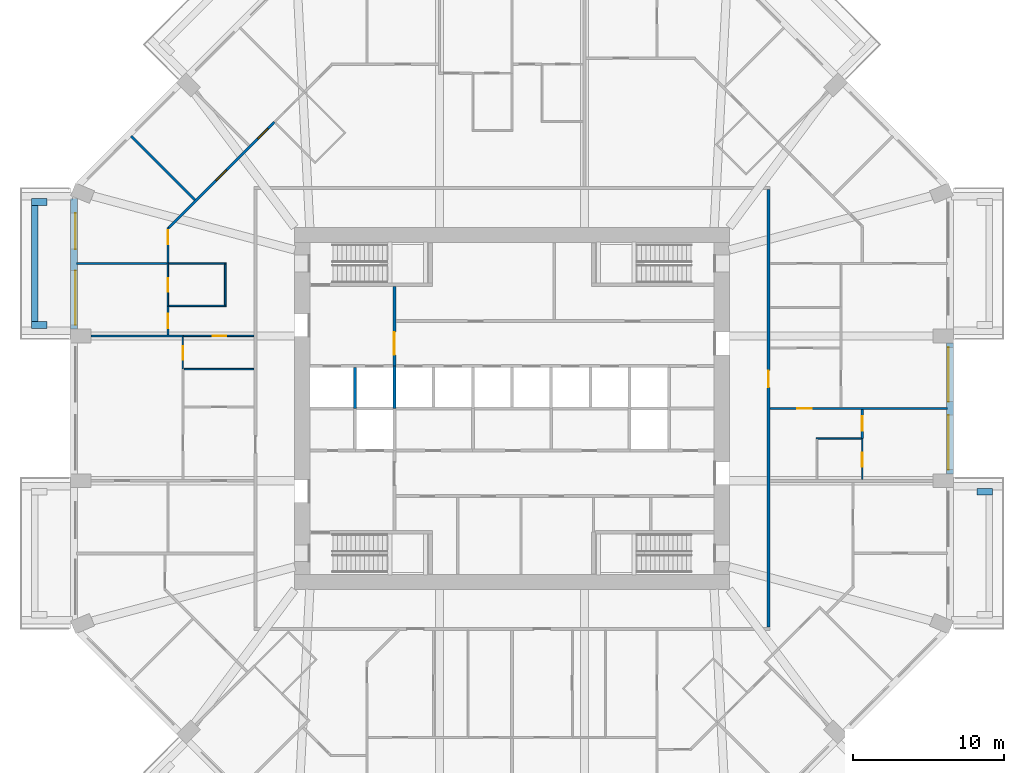
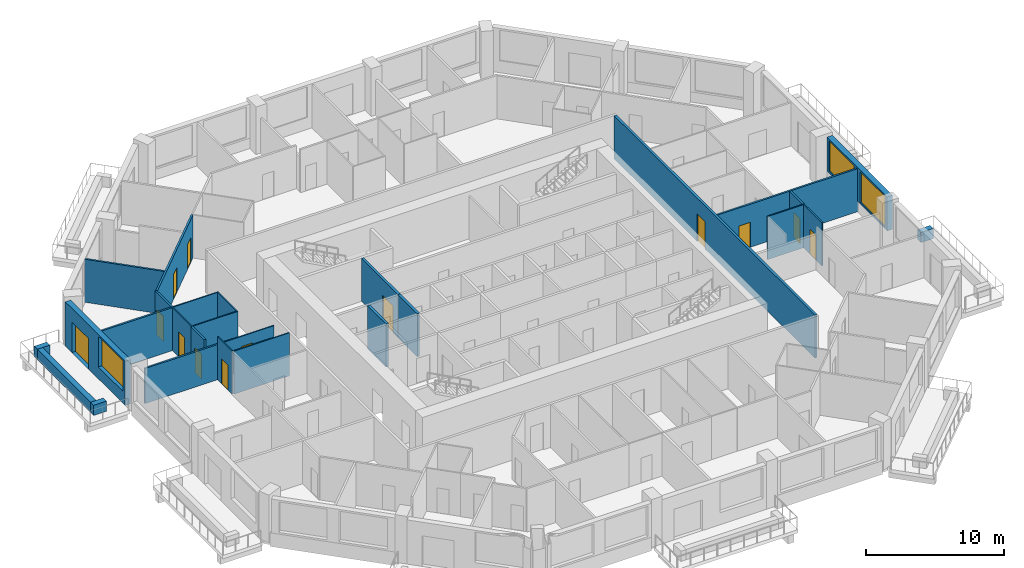
# One storey, part 7 of 13: 27 walls, 13 doors, 3 windows, 16 openings.
"""IFC4 building model written with IfcOpenShell, lengths in metres."""

from ifc_helpers import new_model, si_unit, direction, frame, frame_2d, origin, place, context, subcontext, project, spatial, rectangle, extrude, material, layer, layer_set, type_object, element, fill, save


model = new_model("IFC4")

# Units and contexts
model_context = context("Model", 3, precision=1e-05, world=origin(), true_north=direction((0.0, 1.0)))
body_context = subcontext(model_context, "Body", "Model", "MODEL_VIEW")
ifc_project = project(units=[si_unit("LENGTHUNIT", "METRE"), si_unit("AREAUNIT", "SQUARE_METRE"), si_unit("VOLUMEUNIT", "CUBIC_METRE"), si_unit("PLANEANGLEUNIT", "RADIAN"), si_unit("MASSUNIT", "GRAM", prefix="KILO")], contexts=[model_context])

# Site, building, storey
site_placement = place(None, origin())
site = spatial("IfcSite", under=ifc_project, at=site_placement, CompositionType="ELEMENT")
building_placement = place(site_placement, origin())
building = spatial("IfcBuilding", under=site, at=building_placement, Name="Msitu Wima Residences", CompositionType="ELEMENT")
storey_placement = place(building_placement, frame((0.0, 0.0, 96.89990234375)))
storey = spatial("IfcBuildingStorey", under=building, at=storey_placement, Name="L22", CompositionType="ELEMENT", Elevation=96.89990234375)

# Walls
ifc_material_1 = material(Name="Facing brick")
ifc_layer_1 = layer(ifc_material_1, 0.06494140625, Name="Facing brick")
ifc_material_2 = material(Name="Concrete C40/50", Category="concrete")
ifc_layer_2 = layer(ifc_material_2, 0.156005859375, Name="Concrete C40/50")
ifc_material_3 = material(Name="Waterproofing membrane")
ifc_layer_3 = layer(ifc_material_3, 0.00390625, Name="Waterproofing membrane")
ifc_material_4 = material(Name="Planting soil and planting")
ifc_layer_4 = layer(ifc_material_4, 0.22509765625, Name="Planting soil and planting")
ifc_layer_set_1 = layer_set([ifc_layer_1, ifc_layer_2, ifc_layer_3, ifc_layer_4], Name="Concrete C40/50")
wall_type_1 = type_object("IfcWallType", Name="Balcony planter PLANTER PL450", PredefinedType="USERDEFINED", material=ifc_layer_set_1)
wall_1_placement = place(storey_placement, frame((30.800048828125, -5.52490234375, 0.0), z_axis=(0.0, 0.0, 1.0), x_axis=(1.0, 0.0, 0.0)))
element("IfcWall", 1, at=wall_1_placement, inside=storey, type_object=wall_type_1, Name="Balcony planter E0 L22", ObjectType="PLANTER", PredefinedType="USERDEFINED", context=body_context, shape_type="SweptSolid", body=[
    extrude(rectangle(XDim=1.050048828125, YDim=0.449951171875, at=frame_2d((0.52490234375, 0.0))), origin(), (0.0, 0.0, 1.0), 0.900146484375),
])
wall_2_placement = place(storey_placement, frame((-31.625, 13.449951171875, 0.0), z_axis=(0.0, 0.0, 1.0), x_axis=(0.0, -1.0, 0.0)))
element("IfcWall", 2, at=wall_2_placement, inside=storey, type_object=wall_type_1, Name="Balcony planter W0 L22", ObjectType="PLANTER", PredefinedType="USERDEFINED", context=body_context, shape_type="SweptSolid", body=[
    extrude(rectangle(XDim=7.699951171875, YDim=0.449951171875, at=frame_2d((3.85009765625, 0.0))), origin(), (0.0, 0.0, 1.0), 0.900146484375),
])
for number, where, z_axis, x_axis, name in (
    (3, (-30.800048828125, 13.675048828125, 0.0), (0.0, 0.0, 1.0), (-1.0, 0.0, 0.0), "Balcony planter W0 L22"),
    (4, (-30.800048828125, 5.52490234375, 0.0), (0.0, 0.0, 1.0), (-1.0, 0.0, 0.0), "Balcony planter W0 L22"),
):
    element("IfcWall", number, at=place(storey_placement, frame(where, z_axis=z_axis, x_axis=x_axis)), inside=storey, type_object=wall_type_1, Name=name, ObjectType="PLANTER", PredefinedType="USERDEFINED", context=body_context, shape_type="SweptSolid", body=[
        extrude(rectangle(XDim=1.050048828125, YDim=0.449951171875, at=frame_2d((0.52490234375, 0.0))), origin(), (0.0, 0.0, 1.0), 0.900146484375),
    ])

# Wall, openings, windows
ifc_material_5 = material(Name="Brick (red buff mix)", Category="masonry")
ifc_layer_5 = layer(ifc_material_5, 0.449951171875)
ifc_layer_set_2 = layer_set([ifc_layer_5], Name="Brick (red buff mix)")
wall_type_2 = type_object("IfcWallType", Name="Brick infill wall BW450", PredefinedType="SOLIDWALL", material=ifc_layer_set_2)
wall_3_placement = place(storey_placement, frame((29.02490234375, -4.35009765625, 0.900146484375), z_axis=(0.0, 0.0, 1.0), x_axis=(0.0, 1.0, 0.0)))
wall_3 = element("IfcWall", 5, at=wall_3_placement, inside=storey, type_object=wall_type_2, Name="Brick infill wall L22 E1", PredefinedType="SOLIDWALL", context=body_context, shape_type="SweptSolid", body=[
    extrude(rectangle(XDim=8.7001953125, YDim=0.449951171875, at=frame_2d((4.35009765625, 0.0))), origin(), (0.0, 0.0, 1.0), 3.0),
])
opening_1_placement = place(wall_3_placement, frame((0.300048828125, 0.0, 0.14990234375)))
opening_1 = element("IfcOpeningElement", 6, at=opening_1_placement, cuts=wall_3, Name="Opening W22.002", PredefinedType="OPENING", context=body_context, shape_type="SweptSolid", body=[
    extrude(rectangle(XDim=3.60009765625, YDim=2.699951171875, at=frame_2d((1.800048828125, 1.35009765625))), frame((0.0, 0.23486328125, 0.0), z_axis=(0.0, -1.0, 0.0), x_axis=(1.0, 0.0, 0.0)), (0.0, 0.0, 1.0), 0.469970703125),
])
opening_2_placement = place(wall_3_placement, frame((4.800048828125, 0.0, 0.14990234375)))
opening_2 = element("IfcOpeningElement", 7, at=opening_2_placement, cuts=wall_3, Name="Opening W22.003", PredefinedType="OPENING", context=body_context, shape_type="SweptSolid", body=[
    extrude(rectangle(XDim=3.60009765625, YDim=2.699951171875, at=frame_2d((1.800048828125, 1.35009765625))), frame((0.0, 0.23486328125, 0.0), z_axis=(0.0, -1.0, 0.0), x_axis=(1.0, 0.0, 0.0)), (0.0, 0.0, 1.0), 0.469970703125),
])
ifc_material_6 = material(Name="Anodised aluminium, bronze finish, clear low-emissivity double glazing", Category="aluminium")
window_type = type_object("IfcWindowType", Name="Window W3600x2700", PartitioningType="DOUBLE_PANEL_VERTICAL", PredefinedType="WINDOW", material=ifc_material_6)
window_1_placement = place(opening_1_placement, origin())
window_1 = element("IfcWindow", 8, at=window_1_placement, inside=storey, type_object=window_type, Name="Window L22 E1.1", OverallHeight=2.699951171875, OverallWidth=3.60009765625, PartitioningType="SINGLE_PANEL", PredefinedType="WINDOW", context=body_context, shape_type="SweptSolid", body=[
    extrude(rectangle(XDim=3.60009765625, YDim=2.699951171875, at=frame_2d((1.800048828125, 1.35009765625))), frame((0.0, 0.135009765625, 0.0), z_axis=(0.0, -1.0, 0.0), x_axis=(1.0, 0.0, 0.0)), (0.0, 0.0, 1.0), 0.06005859375),
])
fill(opening_1, window_1)
window_2_placement = place(opening_2_placement, origin())
window_2 = element("IfcWindow", 9, at=window_2_placement, inside=storey, type_object=window_type, Name="Window L22 E1.2", OverallHeight=2.699951171875, OverallWidth=3.60009765625, PartitioningType="SINGLE_PANEL", PredefinedType="WINDOW", context=body_context, shape_type="SweptSolid", body=[
    extrude(rectangle(XDim=3.60009765625, YDim=2.699951171875, at=frame_2d((1.800048828125, 1.35009765625))), frame((0.0, 0.135009765625, 0.0), z_axis=(0.0, -1.0, 0.0), x_axis=(1.0, 0.0, 0.0)), (0.0, 0.0, 1.0), 0.06005859375),
])
fill(opening_2, window_2)

# Wall, openings, door, window
wall_4_placement = place(storey_placement, frame((-29.02490234375, 13.912841796875, 0.0), z_axis=(0.0, 0.0, 1.0), x_axis=(0.0, -1.0, 0.0)))
wall_4 = element("IfcWall", 10, at=wall_4_placement, inside=storey, type_object=wall_type_2, Name="Brick infill wall L22 W0", PredefinedType="SOLIDWALL", context=body_context, shape_type="SweptSolid", body=[
    extrude(rectangle(XDim=8.662841796875, YDim=0.449951171875, at=frame_2d((4.33154296875, 0.0))), origin(), (0.0, 0.0, 1.0), 3.900146484375),
])
opening_3_placement = place(wall_4_placement, frame((0.9658203125, 0.0, 0.0)))
opening_3 = element("IfcOpeningElement", 11, at=opening_3_placement, cuts=wall_4, Name="Opening D22.009", PredefinedType="OPENING", context=body_context, shape_type="SweptSolid", body=[
    extrude(rectangle(XDim=2.39990234375, YDim=2.699951171875, at=frame_2d((1.199951171875, 1.35009765625))), frame((0.0, 0.23486328125, 0.0), z_axis=(0.0, -1.0, 0.0), x_axis=(1.0, 0.0, 0.0)), (0.0, 0.0, 1.0), 0.469970703125),
])
opening_4_placement = place(wall_4_placement, frame((4.781494140625, 0.0, 1.050048828125)))
opening_4 = element("IfcOpeningElement", 12, at=opening_4_placement, cuts=wall_4, Name="Opening W22.027", PredefinedType="OPENING", context=body_context, shape_type="SweptSolid", body=[
    extrude(rectangle(XDim=3.60009765625, YDim=2.699951171875, at=frame_2d((1.800048828125, 1.35009765625))), frame((0.0, 0.23486328125, 0.0), z_axis=(0.0, -1.0, 0.0), x_axis=(1.0, 0.0, 0.0)), (0.0, 0.0, 1.0), 0.469970703125),
])
door_type_1 = type_object("IfcDoorType", Name="Balcony door D2400x2700", OperationType="SLIDING_TO_LEFT", PredefinedType="DOOR", material=ifc_material_6)
door_1_placement = place(opening_3_placement, origin())
door_1 = element("IfcDoor", 13, at=door_1_placement, inside=storey, type_object=door_type_1, Name="Balcony door L22 W0", OperationType="SINGLE_SWING_LEFT", OverallHeight=2.699951171875, OverallWidth=2.39990234375, PredefinedType="DOOR", context=body_context, shape_type="SweptSolid", body=[
    extrude(rectangle(XDim=2.39990234375, YDim=2.699951171875, at=frame_2d((1.199951171875, 1.35009765625))), frame((0.0, 0.1298828125, 0.0), z_axis=(0.0, -1.0, 0.0), x_axis=(1.0, 0.0, 0.0)), (0.0, 0.0, 1.0), 0.050048828125),
])
fill(opening_3, door_1)
window_3_placement = place(opening_4_placement, origin())
window_3 = element("IfcWindow", 14, at=window_3_placement, inside=storey, type_object=window_type, Name="Window L22 W0.2", OverallHeight=2.699951171875, OverallWidth=3.60009765625, PartitioningType="SINGLE_PANEL", PredefinedType="WINDOW", context=body_context, shape_type="SweptSolid", body=[
    extrude(rectangle(XDim=3.60009765625, YDim=2.699951171875, at=frame_2d((1.800048828125, 1.35009765625))), frame((0.0, 0.135009765625, 0.0), z_axis=(0.0, -1.0, 0.0), x_axis=(1.0, 0.0, 0.0)), (0.0, 0.0, 1.0), 0.06005859375),
])
fill(opening_4, window_3)

# Wall, opening, door
ifc_material_7 = material(Name="Plaster")
ifc_layer_6 = layer(ifc_material_7, 0.011962890625, Name="Plaster")
ifc_material_8 = material(Name="Concrete blockwork", Category="masonry")
ifc_layer_7 = layer(ifc_material_8, 0.176025390625, Name="Concrete blockwork")
ifc_layer_8 = layer(ifc_material_7, 0.011962890625, Name="Plaster")
ifc_layer_set_3 = layer_set([ifc_layer_6, ifc_layer_7, ifc_layer_8], Name="Concrete blockwork")
wall_type_3 = type_object("IfcWallType", Name="Corridor wall FW200", PredefinedType="PARTITIONING", material=ifc_layer_set_3)
wall_5_placement = place(storey_placement, frame((-7.800048828125, 2.800048828125, 0.0), z_axis=(0.0, 0.0, 1.0), x_axis=(0.0, 1.0, 0.0)))
wall_5 = element("IfcWall", 15, at=wall_5_placement, inside=storey, type_object=wall_type_3, Name="Corridor wall", PredefinedType="PARTITIONING", context=body_context, shape_type="SweptSolid", body=[
    extrude(rectangle(XDim=5.27490234375, YDim=0.199951171875, at=frame_2d((2.637451171875, 0.0))), origin(), (0.0, 0.0, 1.0), 3.798095703125),
])
opening_5_placement = place(wall_5_placement, frame((0.75, 0.0, 0.0)))
opening_5 = element("IfcOpeningElement", 16, at=opening_5_placement, cuts=wall_5, Name="Opening D22.017", PredefinedType="OPENING", context=body_context, shape_type="SweptSolid", body=[
    extrude(rectangle(XDim=1.5, YDim=2.39990234375, at=frame_2d((0.75, 1.199951171875))), frame((0.0, 0.10986328125, 0.0), z_axis=(0.0, -1.0, 0.0), x_axis=(1.0, 0.0, 0.0)), (0.0, 0.0, 1.0), 0.219970703125),
])
ifc_material_9 = material(Name="Steel framed glazed door, fire resisting", Category="steel")
door_type_2 = type_object("IfcDoorType", Name="Lobby door D07 1500x2400", OperationType="DOUBLE_DOOR_SINGLE_SWING", PredefinedType="DOOR", material=ifc_material_9)
door_2_placement = place(opening_5_placement, origin())
door_2 = element("IfcDoor", 17, at=door_2_placement, inside=storey, type_object=door_type_2, Name="Lobby door", OperationType="DOUBLE_DOOR_SINGLE_SWING", OverallHeight=2.39990234375, OverallWidth=1.5, PredefinedType="DOOR", context=body_context, shape_type="SweptSolid", body=[
    extrude(rectangle(XDim=1.5, YDim=2.39990234375, at=frame_2d((0.75, 1.199951171875))), frame((0.0, 0.02490234375, 0.0), z_axis=(0.0, -1.0, 0.0), x_axis=(1.0, 0.0, 0.0)), (0.0, 0.0, 1.0), 0.050048828125),
])
fill(opening_5, door_2)

wall_6_placement = place(storey_placement, frame((17.0, -14.5, 0.0), z_axis=(0.0, 0.0, 1.0), x_axis=(0.0, 1.0, 0.0)))
wall_6 = element("IfcWall", 18, at=wall_6_placement, inside=storey, type_object=wall_type_3, Name="Corridor wall", PredefinedType="PARTITIONING", context=body_context, shape_type="SweptSolid", body=[
    extrude(rectangle(XDim=29.0, YDim=0.199951171875, at=frame_2d((14.5, 0.0))), origin(), (0.0, 0.0, 1.0), 3.798095703125),
])
opening_6_placement = place(wall_6_placement, frame((15.89990234375, 0.0, 0.0)))
opening_6 = element("IfcOpeningElement", 19, at=opening_6_placement, cuts=wall_6, Name="Opening D22.011", PredefinedType="OPENING", context=body_context, shape_type="SweptSolid", body=[
    extrude(rectangle(XDim=1.10009765625, YDim=2.39990234375, at=frame_2d((0.550048828125, 1.199951171875))), frame((0.0, 0.10986328125, 0.0), z_axis=(0.0, -1.0, 0.0), x_axis=(1.0, 0.0, 0.0)), (0.0, 0.0, 1.0), 0.219970703125),
])
ifc_material_10 = material(Name="Timber flush door, fire resisting, self-closing", Category="wood")
door_type_3 = type_object("IfcDoorType", Name="Flat entrance door D01 1100x2400", OperationType="SINGLE_SWING_LEFT", PredefinedType="DOOR", material=ifc_material_10)
door_3_placement = place(opening_6_placement, origin())
door_3 = element("IfcDoor", 20, at=door_3_placement, inside=storey, type_object=door_type_3, Name="Flat entrance door", OperationType="SINGLE_SWING_RIGHT", OverallHeight=2.39990234375, OverallWidth=1.10009765625, PredefinedType="DOOR", context=body_context, shape_type="SweptSolid", body=[
    extrude(rectangle(XDim=1.10009765625, YDim=2.39990234375, at=frame_2d((0.550048828125, 1.199951171875))), frame((0.0, 0.02490234375, 0.0), z_axis=(0.0, -1.0, 0.0), x_axis=(1.0, 0.0, 0.0)), (0.0, 0.0, 1.0), 0.050048828125),
])
fill(opening_6, door_3)

# Walls
ifc_layer_9 = layer(ifc_material_7, 0.011962890625, Name="Plaster")
ifc_layer_10 = layer(ifc_material_8, 0.1259765625, Name="Concrete blockwork")
ifc_layer_11 = layer(ifc_material_7, 0.011962890625, Name="Plaster")
ifc_layer_set_4 = layer_set([ifc_layer_9, ifc_layer_10, ifc_layer_11], Name="Concrete blockwork")
wall_type_4 = type_object("IfcWallType", Name="Partition PW150", PredefinedType="PARTITIONING", material=ifc_layer_set_4)
wall_7_placement = place(storey_placement, frame((-27.89990234375, 4.800048828125, 0.0), z_axis=(0.0, 0.0, 1.0), x_axis=(1.0, 0.0, 0.0)))
element("IfcWall", 21, at=wall_7_placement, inside=storey, type_object=wall_type_4, Name="Partition", PredefinedType="PARTITIONING", context=body_context, shape_type="SweptSolid", body=[
    extrude(rectangle(XDim=6.119873046875, YDim=0.14990234375, at=frame_2d((3.06005859375, 0.0))), origin(), (0.0, 0.0, 1.0), 3.10009765625),
])
wall_8_placement = place(storey_placement, frame((-28.85498046875, 9.60009765625, 0.0), z_axis=(0.0, 0.0, 1.0), x_axis=(1.0, 0.0, 0.0)))
element("IfcWall", 22, at=wall_8_placement, inside=storey, type_object=wall_type_4, Name="Partition", PredefinedType="PARTITIONING", context=body_context, shape_type="SweptSolid", body=[
    extrude(rectangle(XDim=6.074951171875, YDim=0.14990234375, at=frame_2d((3.03759765625, 0.0))), origin(), (0.0, 0.0, 1.0), 3.798095703125),
])
wall_9_placement = place(storey_placement, frame((-25.23876953125, 18.038818359375, 0.0), z_axis=(0.0, 0.0, 1.0), x_axis=(0.707086367289, -0.707127194494, 0.0)))
element("IfcWall", 23, at=wall_9_placement, inside=storey, type_object=wall_type_4, Name="Partition", PredefinedType="PARTITIONING", context=body_context, shape_type="SweptSolid", body=[
    extrude(rectangle(XDim=5.979736328125, YDim=0.14990234375, at=frame_2d((2.98974609375, 0.0))), origin(), (0.0, 0.0, 1.0), 3.798095703125),
])

# Wall, opening, door
wall_10_placement = place(storey_placement, frame((-22.800048828125, 4.875, 0.0), z_axis=(0.0, 0.0, 1.0), x_axis=(0.0, 1.0, 0.0)))
wall_10 = element("IfcWall", 24, at=wall_10_placement, inside=storey, type_object=wall_type_4, Name="Partition", PredefinedType="PARTITIONING", context=body_context, shape_type="SweptSolid", body=[
    extrude(rectangle(XDim=1.905029296875, YDim=0.14990234375, at=frame_2d((0.95263671875, 0.0))), origin(), (0.0, 0.0, 1.0), 3.798095703125),
])
opening_7_placement = place(wall_10_placement, frame((0.449951171875, 0.0, 0.0)))
opening_7 = element("IfcOpeningElement", 25, at=opening_7_placement, cuts=wall_10, Name="Opening D22.056", PredefinedType="OPENING", context=body_context, shape_type="SweptSolid", body=[
    extrude(rectangle(XDim=0.949951171875, YDim=2.199951171875, at=frame_2d((0.47509765625, 1.10009765625))), frame((0.0, 0.0849609375, 0.0), z_axis=(0.0, -1.0, 0.0), x_axis=(1.0, 0.0, 0.0)), (0.0, 0.0, 1.0), 0.169921875),
])
ifc_material_11 = material(Name="Timber flush door", Category="wood")
door_type_4 = type_object("IfcDoorType", Name="Room door D12 950x2200", OperationType="SINGLE_SWING_LEFT", PredefinedType="DOOR", material=ifc_material_11)
door_4_placement = place(opening_7_placement, origin())
door_4 = element("IfcDoor", 26, at=door_4_placement, inside=storey, type_object=door_type_4, Name="Room door", OperationType="SINGLE_SWING_LEFT", OverallHeight=2.199951171875, OverallWidth=0.949951171875, PredefinedType="DOOR", context=body_context, shape_type="SweptSolid", body=[
    extrude(rectangle(XDim=0.949951171875, YDim=2.199951171875, at=frame_2d((0.47509765625, 1.10009765625))), frame((0.0, 0.02490234375, 0.0), z_axis=(0.0, -1.0, 0.0), x_axis=(1.0, 0.0, 0.0)), (0.0, 0.0, 1.0), 0.050048828125),
])
fill(opening_7, door_4)

wall_11_placement = place(storey_placement, frame((-22.800048828125, 9.6201171875, 0.0), z_axis=(0.0, 0.0, 1.0), x_axis=(0.0, 1.0, 0.0)))
wall_11 = element("IfcWall", 27, at=wall_11_placement, inside=storey, type_object=wall_type_4, Name="Partition", PredefinedType="PARTITIONING", context=body_context, shape_type="SweptSolid", body=[
    extrude(rectangle(XDim=2.36962890625, YDim=0.14990234375, at=frame_2d((1.184814453125, 0.0))), origin(), (0.0, 0.0, 1.0), 3.798095703125),
])
opening_8_placement = place(wall_11_placement, frame((1.25, 0.0, 0.0)))
opening_8 = element("IfcOpeningElement", 28, at=opening_8_placement, cuts=wall_11, Name="Opening D22.064", PredefinedType="OPENING", context=body_context, shape_type="SweptSolid", body=[
    extrude(rectangle(XDim=0.949951171875, YDim=2.199951171875, at=frame_2d((0.47509765625, 1.10009765625))), frame((0.0, 0.0849609375, 0.0), z_axis=(0.0, -1.0, 0.0), x_axis=(1.0, 0.0, 0.0)), (0.0, 0.0, 1.0), 0.169921875),
])
door_5_placement = place(opening_8_placement, origin())
door_5 = element("IfcDoor", 29, at=door_5_placement, inside=storey, type_object=door_type_4, Name="Room door", OperationType="SINGLE_SWING_LEFT", OverallHeight=2.199951171875, OverallWidth=0.949951171875, PredefinedType="DOOR", context=body_context, shape_type="SweptSolid", body=[
    extrude(rectangle(XDim=0.949951171875, YDim=2.199951171875, at=frame_2d((0.47509765625, 1.10009765625))), frame((0.0, 0.02490234375, 0.0), z_axis=(0.0, -1.0, 0.0), x_axis=(1.0, 0.0, 0.0)), (0.0, 0.0, 1.0), 0.050048828125),
])
fill(opening_8, door_5)

# Wall, openings, doors
wall_12_placement = place(storey_placement, frame((-22.7470703125, 11.9677734375, 0.0), z_axis=(0.0, 0.0, 1.0), x_axis=(0.707106781187, 0.707106781187, 0.0)))
wall_12 = element("IfcWall", 30, at=wall_12_placement, inside=storey, type_object=wall_type_4, Name="Partition", PredefinedType="PARTITIONING", context=body_context, shape_type="SweptSolid", body=[
    extrude(rectangle(XDim=9.913330078125, YDim=0.14990234375, at=frame_2d((4.95654296875, 0.0))), origin(), (0.0, 0.0, 1.0), 3.798095703125),
])
opening_9_placement = place(wall_12_placement, frame((4.449951171875, 0.0, 0.0)))
opening_9 = element("IfcOpeningElement", 31, at=opening_9_placement, cuts=wall_12, Name="Opening D22.053", PredefinedType="OPENING", context=body_context, shape_type="SweptSolid", body=[
    extrude(rectangle(XDim=0.949951171875, YDim=2.199951171875, at=frame_2d((0.47509765625, 1.10009765625))), frame((0.0, 0.0849609375, 0.0), z_axis=(0.0, -1.0, 0.0), x_axis=(1.0, 0.0, 0.0)), (0.0, 0.0, 1.0), 0.169921875),
])
opening_10_placement = place(wall_12_placement, frame((8.35009765625, 0.0, 0.0)))
opening_10 = element("IfcOpeningElement", 32, at=opening_10_placement, cuts=wall_12, Name="Opening D22.054", PredefinedType="OPENING", context=body_context, shape_type="SweptSolid", body=[
    extrude(rectangle(XDim=0.949951171875, YDim=2.199951171875, at=frame_2d((0.47509765625, 1.10009765625))), frame((0.0, 0.0849609375, 0.0), z_axis=(0.0, -1.0, 0.0), x_axis=(1.0, 0.0, 0.0)), (0.0, 0.0, 1.0), 0.169921875),
])
door_6_placement = place(opening_9_placement, origin())
door_6 = element("IfcDoor", 33, at=door_6_placement, inside=storey, type_object=door_type_4, Name="Room door", OperationType="SINGLE_SWING_LEFT", OverallHeight=2.199951171875, OverallWidth=0.949951171875, PredefinedType="DOOR", context=body_context, shape_type="SweptSolid", body=[
    extrude(rectangle(XDim=0.949951171875, YDim=2.199951171875, at=frame_2d((0.47509765625, 1.10009765625))), frame((0.0, 0.02490234375, 0.0), z_axis=(0.0, -1.0, 0.0), x_axis=(1.0, 0.0, 0.0)), (0.0, 0.0, 1.0), 0.050048828125),
])
fill(opening_9, door_6)
door_7_placement = place(opening_10_placement, origin())
door_7 = element("IfcDoor", 34, at=door_7_placement, inside=storey, type_object=door_type_4, Name="Room door", OperationType="SINGLE_SWING_LEFT", OverallHeight=2.199951171875, OverallWidth=0.949951171875, PredefinedType="DOOR", context=body_context, shape_type="SweptSolid", body=[
    extrude(rectangle(XDim=0.949951171875, YDim=2.199951171875, at=frame_2d((0.47509765625, 1.10009765625))), frame((0.0, 0.02490234375, 0.0), z_axis=(0.0, -1.0, 0.0), x_axis=(1.0, 0.0, 0.0)), (0.0, 0.0, 1.0), 0.050048828125),
])
fill(opening_10, door_7)

# Wall, opening, door
wall_13_placement = place(storey_placement, frame((17.10009765625, 0.0, 0.0), z_axis=(0.0, 0.0, 1.0), x_axis=(1.0, 0.0, 0.0)))
wall_13 = element("IfcWall", 35, at=wall_13_placement, inside=storey, type_object=wall_type_4, Name="Partition", PredefinedType="PARTITIONING", context=body_context, shape_type="SweptSolid", body=[
    extrude(rectangle(XDim=11.7548828125, YDim=0.14990234375, at=frame_2d((5.87744140625, 0.0))), origin(), (0.0, 0.0, 1.0), 3.798095703125),
])
opening_11_placement = place(wall_13_placement, frame((1.800048828125, 0.0, 0.0)))
opening_11 = element("IfcOpeningElement", 36, at=opening_11_placement, cuts=wall_13, Name="Opening D22.040", PredefinedType="OPENING", context=body_context, shape_type="SweptSolid", body=[
    extrude(rectangle(XDim=0.949951171875, YDim=2.199951171875, at=frame_2d((0.47509765625, 1.10009765625))), frame((0.0, 0.0849609375, 0.0), z_axis=(0.0, -1.0, 0.0), x_axis=(1.0, 0.0, 0.0)), (0.0, 0.0, 1.0), 0.169921875),
])
door_8_placement = place(opening_11_placement, origin())
door_8 = element("IfcDoor", 37, at=door_8_placement, inside=storey, type_object=door_type_4, Name="Room door", OperationType="SINGLE_SWING_RIGHT", OverallHeight=2.199951171875, OverallWidth=0.949951171875, PredefinedType="DOOR", context=body_context, shape_type="SweptSolid", body=[
    extrude(rectangle(XDim=0.949951171875, YDim=2.199951171875, at=frame_2d((0.47509765625, 1.10009765625))), frame((0.0, 0.02490234375, 0.0), z_axis=(0.0, -1.0, 0.0), x_axis=(1.0, 0.0, 0.0)), (0.0, 0.0, 1.0), 0.050048828125),
])
fill(opening_11, door_8)

wall_14_placement = place(storey_placement, frame((23.199951171875, -1.97998046875, 0.0), z_axis=(0.0, 0.0, 1.0), x_axis=(0.0, 1.0, 0.0)))
wall_14 = element("IfcWall", 38, at=wall_14_placement, inside=storey, type_object=wall_type_4, Name="Partition", PredefinedType="PARTITIONING", context=body_context, shape_type="SweptSolid", body=[
    extrude(rectangle(XDim=1.905029296875, YDim=0.14990234375, at=frame_2d((0.95263671875, 0.0))), origin(), (0.0, 0.0, 1.0), 3.798095703125),
])
opening_12_placement = place(wall_14_placement, frame((0.5, 0.0, 0.0)))
opening_12 = element("IfcOpeningElement", 39, at=opening_12_placement, cuts=wall_14, Name="Opening D22.073", PredefinedType="OPENING", context=body_context, shape_type="SweptSolid", body=[
    extrude(rectangle(XDim=0.949951171875, YDim=2.199951171875, at=frame_2d((0.47509765625, 1.10009765625))), frame((0.0, 0.0849609375, 0.0), z_axis=(0.0, -1.0, 0.0), x_axis=(1.0, 0.0, 0.0)), (0.0, 0.0, 1.0), 0.169921875),
])
door_9_placement = place(opening_12_placement, origin())
door_9 = element("IfcDoor", 40, at=door_9_placement, inside=storey, type_object=door_type_4, Name="Room door", OperationType="SINGLE_SWING_LEFT", OverallHeight=2.199951171875, OverallWidth=0.949951171875, PredefinedType="DOOR", context=body_context, shape_type="SweptSolid", body=[
    extrude(rectangle(XDim=0.949951171875, YDim=2.199951171875, at=frame_2d((0.47509765625, 1.10009765625))), frame((0.0, 0.02490234375, 0.0), z_axis=(0.0, -1.0, 0.0), x_axis=(1.0, 0.0, 0.0)), (0.0, 0.0, 1.0), 0.050048828125),
])
fill(opening_12, door_9)

# Walls
ifc_material_12 = material(Name="Fire-rated board")
ifc_layer_12 = layer(ifc_material_12, 0.02490234375, Name="Fire-rated board")
ifc_material_13 = material(Name="Light-gauge stud framing with mineral wool")
ifc_layer_13 = layer(ifc_material_13, 0.14990234375, Name="Light-gauge stud framing with mineral wool")
ifc_layer_14 = layer(ifc_material_12, 0.02490234375, Name="Fire-rated board")
ifc_layer_set_5 = layer_set([ifc_layer_12, ifc_layer_13, ifc_layer_14], Name="Light-gauge stud framing with mineral wool")
wall_type_5 = type_object("IfcWallType", Name="Shaft wall SH200", PredefinedType="PARTITIONING", material=ifc_layer_set_5)
wall_15_placement = place(storey_placement, frame((-10.39990234375, 0.0, 0.0), z_axis=(0.0, 0.0, 1.0), x_axis=(0.0, 1.0, 0.0)))
element("IfcWall", 41, at=wall_15_placement, inside=storey, type_object=wall_type_5, Name="Shaft wall", PredefinedType="PARTITIONING", context=body_context, shape_type="SweptSolid", body=[
    extrude(rectangle(XDim=2.699951171875, YDim=0.199951171875, at=frame_2d((1.35009765625, 0.0))), origin(), (0.0, 0.0, 1.0), 3.798095703125),
])
wall_16_placement = place(storey_placement, frame((-7.800048828125, 0.0, 0.0), z_axis=(0.0, 0.0, 1.0), x_axis=(0.0, 1.0, 0.0)))
element("IfcWall", 42, at=wall_16_placement, inside=storey, type_object=wall_type_5, Name="Shaft wall", PredefinedType="PARTITIONING", context=body_context, shape_type="SweptSolid", body=[
    extrude(rectangle(XDim=2.800048828125, YDim=0.199951171875, at=frame_2d((1.39990234375, 0.0))), origin(), (0.0, 0.0, 1.0), 3.798095703125),
])
ifc_material_14 = material(Name="Ceramic tiles")
ifc_layer_15 = layer(ifc_material_14, 0.008056640625, Name="Ceramic tiles")
ifc_material_15 = material(Name="Moisture-resistant board")
ifc_layer_16 = layer(ifc_material_15, 0.012451171875, Name="Moisture-resistant board")
ifc_layer_17 = layer(ifc_material_13, 0.06689453125, Name="Light-gauge stud framing with mineral wool")
ifc_layer_18 = layer(ifc_material_15, 0.012451171875, Name="Moisture-resistant board")
ifc_layer_set_6 = layer_set([ifc_layer_15, ifc_layer_16, ifc_layer_17, ifc_layer_18], Name="Light-gauge stud framing with mineral wool")
wall_type_6 = type_object("IfcWallType", Name="Wet wall PW100", PredefinedType="PARTITIONING", material=ifc_layer_set_6)
wall_17_placement = place(storey_placement, frame((-22.780029296875, 9.60009765625, 0.0), z_axis=(0.0, 0.0, 1.0), x_axis=(1.0, 0.0, 0.0)))
element("IfcWall", 43, at=wall_17_placement, inside=storey, type_object=wall_type_6, Name="Wet wall", PredefinedType="PARTITIONING", context=body_context, shape_type="SweptSolid", body=[
    extrude(rectangle(XDim=3.830078125, YDim=0.10009765625, at=frame_2d((1.9150390625, 0.0))), origin(), (0.0, 0.0, 1.0), 3.798095703125),
])

# Wall, opening, door
wall_18_placement = place(storey_placement, frame((-22.800048828125, 6.780029296875, 0.0), z_axis=(0.0, 0.0, 1.0), x_axis=(0.0, 1.0, 0.0)))
wall_18 = element("IfcWall", 44, at=wall_18_placement, inside=storey, type_object=wall_type_6, Name="Wet wall", PredefinedType="PARTITIONING", context=body_context, shape_type="SweptSolid", body=[
    extrude(rectangle(XDim=2.840087890625, YDim=0.10009765625, at=frame_2d((1.419921875, 0.0))), origin(), (0.0, 0.0, 1.0), 3.798095703125),
])
opening_13_placement = place(wall_18_placement, frame((0.949951171875, 0.0, 0.0)))
opening_13 = element("IfcOpeningElement", 45, at=opening_13_placement, cuts=wall_18, Name="Opening D22.057", PredefinedType="OPENING", context=body_context, shape_type="SweptSolid", body=[
    extrude(rectangle(XDim=0.89990234375, YDim=2.199951171875, at=frame_2d((0.449951171875, 1.10009765625))), frame((0.0, 0.06005859375, 0.0), z_axis=(0.0, -1.0, 0.0), x_axis=(1.0, 0.0, 0.0)), (0.0, 0.0, 1.0), 0.1201171875),
])
ifc_material_16 = material(Name="Timber flush door, moisture resistant", Category="wood")
door_type_5 = type_object("IfcDoorType", Name="Bathroom door D03 900x2200", OperationType="SINGLE_SWING_LEFT", PredefinedType="DOOR", material=ifc_material_16)
door_10_placement = place(opening_13_placement, origin())
door_10 = element("IfcDoor", 46, at=door_10_placement, inside=storey, type_object=door_type_5, Name="Bathroom door", OperationType="SINGLE_SWING_RIGHT", OverallHeight=2.199951171875, OverallWidth=0.89990234375, PredefinedType="DOOR", context=body_context, shape_type="SweptSolid", body=[
    extrude(rectangle(XDim=0.89990234375, YDim=2.199951171875, at=frame_2d((0.449951171875, 1.10009765625))), frame((0.0, 0.02490234375, 0.0), z_axis=(0.0, -1.0, 0.0), x_axis=(1.0, 0.0, 0.0)), (0.0, 0.0, 1.0), 0.050048828125),
])
fill(opening_13, door_10)

# Wall
wall_19_placement = place(storey_placement, frame((-22.72509765625, 6.800048828125, 0.0), z_axis=(0.0, 0.0, 1.0), x_axis=(1.0, 0.0, 0.0)))
element("IfcWall", 47, at=wall_19_placement, inside=storey, type_object=wall_type_6, Name="Wet wall", PredefinedType="PARTITIONING", context=body_context, shape_type="SweptSolid", body=[
    extrude(rectangle(XDim=3.775146484375, YDim=0.10009765625, at=frame_2d((1.8876953125, 0.0))), origin(), (0.0, 0.0, 1.0), 3.798095703125),
])

# Wall, opening, door
wall_20_placement = place(storey_placement, frame((-21.780029296875, 4.800048828125, 0.0), z_axis=(0.0, 0.0, 1.0), x_axis=(1.0, 0.0, 0.0)))
wall_20 = element("IfcWall", 48, at=wall_20_placement, inside=storey, type_object=wall_type_6, Name="Wet wall", PredefinedType="PARTITIONING", context=body_context, shape_type="SweptSolid", body=[
    extrude(rectangle(XDim=4.679931640625, YDim=0.10009765625, at=frame_2d((2.33984375, 0.0))), origin(), (0.0, 0.0, 1.0), 3.10009765625),
])
opening_14_placement = place(wall_20_placement, frame((1.949951171875, 0.0, 0.0)))
opening_14 = element("IfcOpeningElement", 49, at=opening_14_placement, cuts=wall_20, Name="Opening D22.050", PredefinedType="OPENING", context=body_context, shape_type="SweptSolid", body=[
    extrude(rectangle(XDim=0.89990234375, YDim=2.199951171875, at=frame_2d((0.449951171875, 1.10009765625))), frame((0.0, 0.06005859375, 0.0), z_axis=(0.0, -1.0, 0.0), x_axis=(1.0, 0.0, 0.0)), (0.0, 0.0, 1.0), 0.1201171875),
])
door_11_placement = place(opening_14_placement, origin())
door_11 = element("IfcDoor", 50, at=door_11_placement, inside=storey, type_object=door_type_5, Name="Bathroom door", OperationType="SINGLE_SWING_LEFT", OverallHeight=2.199951171875, OverallWidth=0.89990234375, PredefinedType="DOOR", context=body_context, shape_type="SweptSolid", body=[
    extrude(rectangle(XDim=0.89990234375, YDim=2.199951171875, at=frame_2d((0.449951171875, 1.10009765625))), frame((0.0, 0.02490234375, 0.0), z_axis=(0.0, -1.0, 0.0), x_axis=(1.0, 0.0, 0.0)), (0.0, 0.0, 1.0), 0.050048828125),
])
fill(opening_14, door_11)

wall_21_placement = place(storey_placement, frame((-21.800048828125, 2.6201171875, 0.0), z_axis=(0.0, 0.0, 1.0), x_axis=(0.0, 1.0, 0.0)))
wall_21 = element("IfcWall", 51, at=wall_21_placement, inside=storey, type_object=wall_type_6, Name="Wet wall", PredefinedType="PARTITIONING", context=body_context, shape_type="SweptSolid", body=[
    extrude(rectangle(XDim=2.10498046875, YDim=0.10009765625, at=frame_2d((1.052490234375, 0.0))), origin(), (0.0, 0.0, 1.0), 3.798095703125),
])
opening_15_placement = place(wall_21_placement, frame((0.60009765625, 0.0, 0.0)))
opening_15 = element("IfcOpeningElement", 52, at=opening_15_placement, cuts=wall_21, Name="Opening D22.049", PredefinedType="OPENING", context=body_context, shape_type="SweptSolid", body=[
    extrude(rectangle(XDim=0.89990234375, YDim=2.199951171875, at=frame_2d((0.449951171875, 1.10009765625))), frame((0.0, 0.06005859375, 0.0), z_axis=(0.0, -1.0, 0.0), x_axis=(1.0, 0.0, 0.0)), (0.0, 0.0, 1.0), 0.1201171875),
])
door_12_placement = place(opening_15_placement, origin())
door_12 = element("IfcDoor", 53, at=door_12_placement, inside=storey, type_object=door_type_5, Name="Bathroom door", OperationType="SINGLE_SWING_RIGHT", OverallHeight=2.199951171875, OverallWidth=0.89990234375, PredefinedType="DOOR", context=body_context, shape_type="SweptSolid", body=[
    extrude(rectangle(XDim=0.89990234375, YDim=2.199951171875, at=frame_2d((0.449951171875, 1.10009765625))), frame((0.0, 0.02490234375, 0.0), z_axis=(0.0, -1.0, 0.0), x_axis=(1.0, 0.0, 0.0)), (0.0, 0.0, 1.0), 0.050048828125),
])
fill(opening_15, door_12)

# Walls
wall_22_placement = place(storey_placement, frame((-21.72509765625, 2.60009765625, 0.0), z_axis=(0.0, 0.0, 1.0), x_axis=(1.0, 0.0, 0.0)))
element("IfcWall", 54, at=wall_22_placement, inside=storey, type_object=wall_type_6, Name="Wet wall", PredefinedType="PARTITIONING", context=body_context, shape_type="SweptSolid", body=[
    extrude(rectangle(XDim=4.625, YDim=0.10009765625, at=frame_2d((2.3125, 0.0))), origin(), (0.0, 0.0, 1.0), 3.798095703125),
])
wall_23_placement = place(storey_placement, frame((-19.0, 6.85009765625, 0.0), z_axis=(0.0, 0.0, 1.0), x_axis=(0.0, 1.0, 0.0)))
element("IfcWall", 55, at=wall_23_placement, inside=storey, type_object=wall_type_6, Name="Wet wall", PredefinedType="PARTITIONING", context=body_context, shape_type="SweptSolid", body=[
    extrude(rectangle(XDim=2.699951171875, YDim=0.10009765625, at=frame_2d((1.35009765625, 0.0))), origin(), (0.0, 0.0, 1.0), 3.798095703125),
])
wall_24_placement = place(storey_placement, frame((20.14990234375, -2.0, 0.0), z_axis=(0.0, 0.0, 1.0), x_axis=(1.0, 0.0, 0.0)))
element("IfcWall", 56, at=wall_24_placement, inside=storey, type_object=wall_type_6, Name="Wet wall", PredefinedType="PARTITIONING", context=body_context, shape_type="SweptSolid", body=[
    extrude(rectangle(XDim=3.0, YDim=0.10009765625, at=frame_2d((1.5, 0.0))), origin(), (0.0, 0.0, 1.0), 3.798095703125),
])

# Wall, opening, door
wall_25_placement = place(storey_placement, frame((23.199951171875, -4.699951171875, 0.0), z_axis=(0.0, 0.0, 1.0), x_axis=(0.0, 1.0, 0.0)))
wall_25 = element("IfcWall", 57, at=wall_25_placement, inside=storey, type_object=wall_type_6, Name="Wet wall", PredefinedType="PARTITIONING", context=body_context, shape_type="SweptSolid", body=[
    extrude(rectangle(XDim=2.719970703125, YDim=0.10009765625, at=frame_2d((1.35986328125, 0.0))), origin(), (0.0, 0.0, 1.0), 3.798095703125),
])
opening_16_placement = place(wall_25_placement, frame((0.85009765625, 0.0, 0.0)))
opening_16 = element("IfcOpeningElement", 58, at=opening_16_placement, cuts=wall_25, Name="Opening D22.084", PredefinedType="OPENING", context=body_context, shape_type="SweptSolid", body=[
    extrude(rectangle(XDim=0.89990234375, YDim=2.199951171875, at=frame_2d((0.449951171875, 1.10009765625))), frame((0.0, 0.06005859375, 0.0), z_axis=(0.0, -1.0, 0.0), x_axis=(1.0, 0.0, 0.0)), (0.0, 0.0, 1.0), 0.1201171875),
])
door_13_placement = place(opening_16_placement, origin())
door_13 = element("IfcDoor", 59, at=door_13_placement, inside=storey, type_object=door_type_5, Name="Bathroom door", OperationType="SINGLE_SWING_LEFT", OverallHeight=2.199951171875, OverallWidth=0.89990234375, PredefinedType="DOOR", context=body_context, shape_type="SweptSolid", body=[
    extrude(rectangle(XDim=0.89990234375, YDim=2.199951171875, at=frame_2d((0.449951171875, 1.10009765625))), frame((0.0, 0.02490234375, 0.0), z_axis=(0.0, -1.0, 0.0), x_axis=(1.0, 0.0, 0.0)), (0.0, 0.0, 1.0), 0.050048828125),
])
fill(opening_16, door_13)

save(model, "model.ifc")
